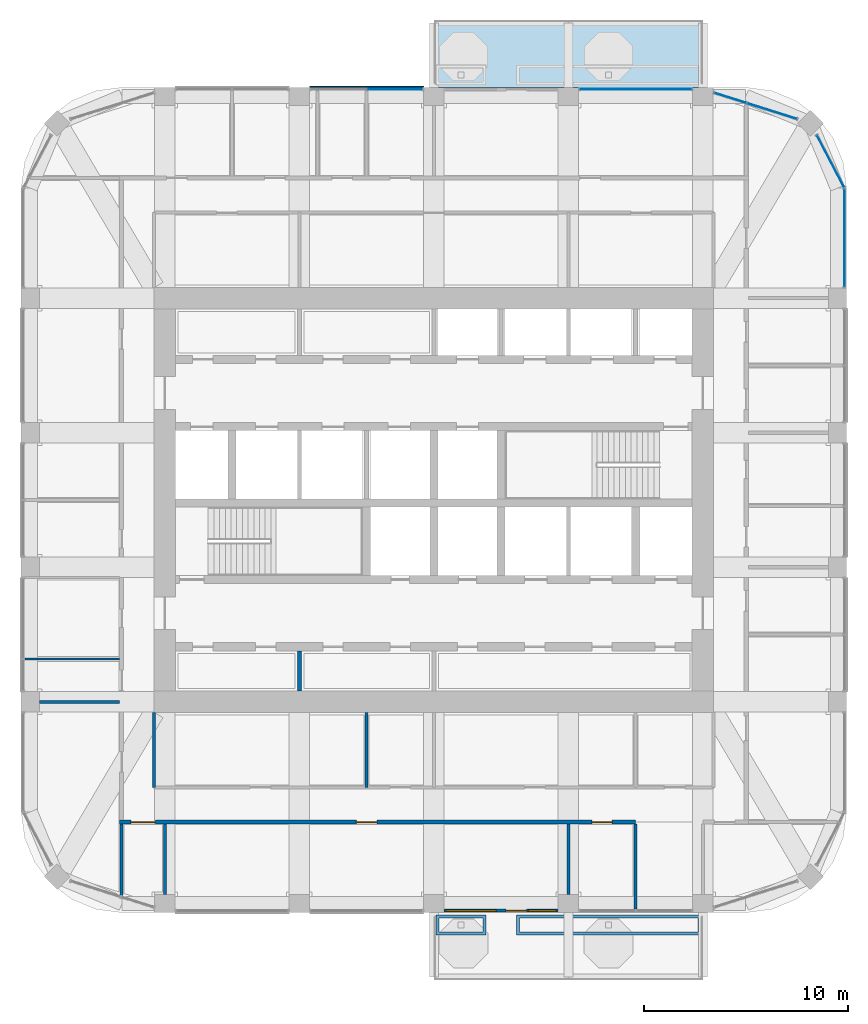
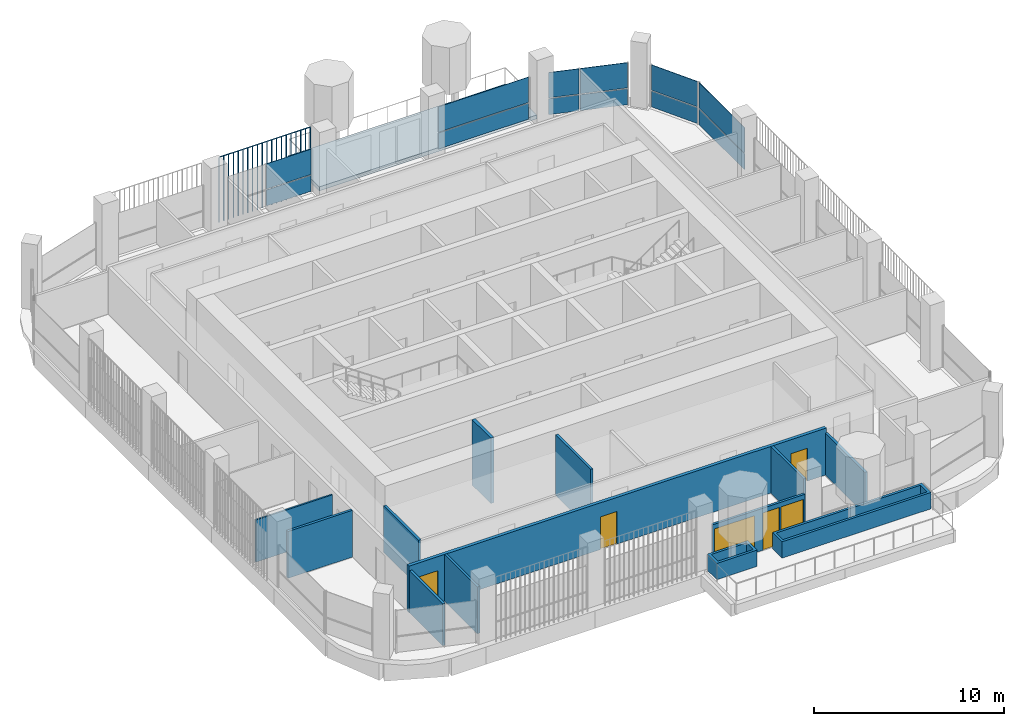
# One storey, part 13 of 21: 13 plates, 13 walls, 4 doors, 2 windows, 1 slab, 6 openings, 5 elements without a shape of their own.
"""IFC4 building model written with IfcOpenShell, lengths in metres."""

from ifc_helpers import new_model, si_unit, direction, frame, frame_2d, origin, origin_2d, place, context, subcontext, project, spatial, polyline, rectangle, outline, extrude, material, layer, layer_set, type_object, element, fill, aggregate, save


model = new_model("IFC4")

# Units and contexts
model_context = context("Model", 3, precision=1e-05, world=origin(), true_north=direction((0.0, 1.0)))
body_context = subcontext(model_context, "Body", "Model", "MODEL_VIEW")
ifc_project = project(units=[si_unit("LENGTHUNIT", "METRE"), si_unit("AREAUNIT", "SQUARE_METRE"), si_unit("VOLUMEUNIT", "CUBIC_METRE"), si_unit("PLANEANGLEUNIT", "RADIAN"), si_unit("MASSUNIT", "GRAM", prefix="KILO")], contexts=[model_context])

# Site, building, storey
site_placement = place(None, origin())
site = spatial("IfcSite", under=ifc_project, at=site_placement, CompositionType="ELEMENT")
building_placement = place(site_placement, origin())
building = spatial("IfcBuilding", under=site, at=building_placement, Name="Cobogo Forest Laboratory Tower", CompositionType="ELEMENT")
storey_placement = place(building_placement, frame((0.0, 0.0, 275.39990234375)))
storey = spatial("IfcBuildingStorey", under=building, at=storey_placement, Name="L63", CompositionType="ELEMENT", Elevation=275.39990234375)

# Slab
ifc_material_1 = material(Name="Concrete HA-40 (C40/50)", Category="concrete")
ifc_layer_1 = layer(ifc_material_1, 0.25)
ifc_layer_set_1 = layer_set([ifc_layer_1], Name="Balcony slab 250")
slab_type = type_object("IfcSlabType", Name="Balcony slab 250", PredefinedType="FLOOR", material=ifc_layer_set_1)
slab_placement = place(storey_placement, frame((0.0, 0.0, -0.25)))
element("IfcSlab", 1, at=slab_placement, inside=storey, type_object=slab_type, Name="Balcony BAL-N1 L63", PredefinedType="FLOOR", context=body_context, shape_type="SweptSolid", body=[
    extrude(outline(polyline([(26.39990234375, 43.35009765625), (39.60009765625, 43.35009765625), (39.60009765625, 46.64990234375), (26.39990234375, 46.64990234375), (26.39990234375, 43.35009765625)])), origin(), (0.0, 0.0, 1.0), 0.25),
])

# Curtain wall, plates
ifc_material_2 = material(Name="Aluminium curtain wall", Category="aluminium")
curtain_wall_type = type_object("IfcCurtainWallType", Name="CW-2 unitised curtain wall, solar control glazing, laboratory floors zones C and D", PredefinedType="USERDEFINED", material=ifc_material_2)
curtain_wall_1_placement = place(storey_placement, origin())
curtain_wall_1 = element("IfcCurtainWall", 2, at=curtain_wall_1_placement, inside=storey, type_object=curtain_wall_type, Name="Curtain wall 11 L63", ObjectType="UNITISED CURTAIN WALL", PredefinedType="USERDEFINED")
ifc_material_3 = material(Name="Solar control insulated glass", Category="glass")
ifc_layer_2 = layer(ifc_material_3, 0.031982421875)
ifc_layer_set_2 = layer_set([ifc_layer_2], Name="GP-2 solar control glass unit 32")
plate_type_1 = type_object("IfcPlateType", Name="GP-2 solar control glass unit 32", PredefinedType="CURTAIN_PANEL", material=ifc_layer_set_2)
plate_1_placement = place(storey_placement, frame((46.550048828125, 35.949951171875, 0.0), z_axis=(0.0, 0.0, 1.0), x_axis=(0.0, 1.0, 0.0)))
plate_1 = element("IfcPlate", 3, at=plate_1_placement, type_object=plate_type_1, Name="CW-2 panel 1.1", PredefinedType="CURTAIN_PANEL", context=body_context, shape_type="SweptSolid", body=[
    extrude(rectangle(XDim=4.780029296875, YDim=0.031982421875, at=origin_2d()), origin(), (0.0, 0.0, 1.0), 1.02001953125),
])
plate_2_placement = place(storey_placement, frame((46.550048828125, 35.949951171875, 1.080078125), z_axis=(0.0, 0.0, 1.0), x_axis=(0.0, 1.0, 0.0)))
plate_2 = element("IfcPlate", 4, at=plate_2_placement, type_object=plate_type_1, Name="CW-2 panel 1.2", PredefinedType="CURTAIN_PANEL", context=body_context, shape_type="SweptSolid", body=[
    extrude(rectangle(XDim=4.780029296875, YDim=0.031982421875, at=origin_2d()), origin(), (0.0, 0.0, 1.0), 1.6201171875),
])
aggregate(curtain_wall_1, [plate_1, plate_2])

curtain_wall_2_placement = place(storey_placement, origin())
curtain_wall_2 = element("IfcCurtainWall", 5, at=curtain_wall_2_placement, inside=storey, type_object=curtain_wall_type, Name="Curtain wall 12 L63", ObjectType="UNITISED CURTAIN WALL", PredefinedType="USERDEFINED")
plate_3_placement = place(storey_placement, frame((45.85693359375, 39.721923828125, 0.0), z_axis=(0.0, 0.0, 1.0), x_axis=(-0.464283778337, 0.885686498245, 0.0)))
plate_3 = element("IfcPlate", 6, at=plate_3_placement, type_object=plate_type_1, Name="CW-2 panel 1.1", PredefinedType="CURTAIN_PANEL", context=body_context, shape_type="SweptSolid", body=[
    extrude(rectangle(XDim=2.864990234375, YDim=0.031982421875, at=origin_2d()), origin(), (0.0, 0.0, 1.0), 1.02001953125),
])
plate_4_placement = place(storey_placement, frame((45.85693359375, 39.721923828125, 1.080078125), z_axis=(0.0, 0.0, 1.0), x_axis=(-0.464283778337, 0.885686498245, 0.0)))
plate_4 = element("IfcPlate", 7, at=plate_4_placement, type_object=plate_type_1, Name="CW-2 panel 1.2", PredefinedType="CURTAIN_PANEL", context=body_context, shape_type="SweptSolid", body=[
    extrude(rectangle(XDim=2.864990234375, YDim=0.031982421875, at=origin_2d()), origin(), (0.0, 0.0, 1.0), 1.6201171875),
])
aggregate(curtain_wall_2, [plate_3, plate_4])

curtain_wall_3_placement = place(storey_placement, origin())
curtain_wall_3 = element("IfcCurtainWall", 8, at=curtain_wall_3_placement, inside=storey, type_object=curtain_wall_type, Name="Curtain wall 13 L63", ObjectType="UNITISED CURTAIN WALL", PredefinedType="USERDEFINED")
plate_5_placement = place(storey_placement, frame((42.989501953125, 42.1796875, 0.0), z_axis=(0.0, 0.0, 1.0), x_axis=(-0.953581379409, 0.301135439371, 0.0)))
plate_5 = element("IfcPlate", 9, at=plate_5_placement, type_object=plate_type_1, Name="CW-2 panel 1.1", PredefinedType="CURTAIN_PANEL", context=body_context, shape_type="SweptSolid", body=[
    extrude(rectangle(XDim=2.541748046875, YDim=0.031982421875, at=origin_2d()), origin(), (0.0, 0.0, 1.0), 1.02001953125),
])
plate_6_placement = place(storey_placement, frame((42.989501953125, 42.1796875, 1.080078125), z_axis=(0.0, 0.0, 1.0), x_axis=(-0.953581379409, 0.301135439371, 0.0)))
plate_6 = element("IfcPlate", 10, at=plate_6_placement, type_object=plate_type_1, Name="CW-2 panel 1.2", PredefinedType="CURTAIN_PANEL", context=body_context, shape_type="SweptSolid", body=[
    extrude(rectangle(XDim=2.541748046875, YDim=0.031982421875, at=origin_2d()), origin(), (0.0, 0.0, 1.0), 1.6201171875),
])
plate_7_placement = place(storey_placement, frame((40.93896484375, 42.8271484375, 0.0), z_axis=(0.0, 0.0, 1.0), x_axis=(-0.953581379409, 0.301135439371, 0.0)))
plate_7 = element("IfcPlate", 11, at=plate_7_placement, type_object=plate_type_1, Name="CW-2 panel 2.1", PredefinedType="CURTAIN_PANEL", context=body_context, shape_type="SweptSolid", body=[
    extrude(rectangle(XDim=1.639404296875, YDim=0.031982421875, at=origin_2d()), origin(), (0.0, 0.0, 1.0), 1.02001953125),
])
plate_8_placement = place(storey_placement, frame((40.93896484375, 42.8271484375, 1.080078125), z_axis=(0.0, 0.0, 1.0), x_axis=(-0.953581379409, 0.301135439371, 0.0)))
plate_8 = element("IfcPlate", 12, at=plate_8_placement, type_object=plate_type_1, Name="CW-2 panel 2.2", PredefinedType="CURTAIN_PANEL", context=body_context, shape_type="SweptSolid", body=[
    extrude(rectangle(XDim=1.639404296875, YDim=0.031982421875, at=origin_2d()), origin(), (0.0, 0.0, 1.0), 1.6201171875),
])
aggregate(curtain_wall_3, [plate_5, plate_6, plate_7, plate_8])

curtain_wall_4_placement = place(storey_placement, origin())
curtain_wall_4 = element("IfcCurtainWall", 13, at=curtain_wall_4_placement, inside=storey, type_object=curtain_wall_type, Name="Curtain wall 14 L63", ObjectType="UNITISED CURTAIN WALL", PredefinedType="USERDEFINED")
plate_9_placement = place(storey_placement, frame((36.300048828125, 43.25, 0.0), z_axis=(0.0, 0.0, 1.0), x_axis=(-1.0, 0.0, 0.0)))
plate_9 = element("IfcPlate", 14, at=plate_9_placement, type_object=plate_type_1, Name="CW-2 panel 1.1", PredefinedType="CURTAIN_PANEL", context=body_context, shape_type="SweptSolid", body=[
    extrude(rectangle(XDim=5.47998046875, YDim=0.031982421875, at=origin_2d()), origin(), (0.0, 0.0, 1.0), 1.02001953125),
])
plate_10_placement = place(storey_placement, frame((36.300048828125, 43.25, 1.080078125), z_axis=(0.0, 0.0, 1.0), x_axis=(-1.0, 0.0, 0.0)))
plate_10 = element("IfcPlate", 15, at=plate_10_placement, type_object=plate_type_1, Name="CW-2 panel 1.2", PredefinedType="CURTAIN_PANEL", context=body_context, shape_type="SweptSolid", body=[
    extrude(rectangle(XDim=5.47998046875, YDim=0.031982421875, at=origin_2d()), origin(), (0.0, 0.0, 1.0), 1.6201171875),
])
aggregate(curtain_wall_4, [plate_9, plate_10])

curtain_wall_5_placement = place(storey_placement, origin())
curtain_wall_5 = element("IfcCurtainWall", 16, at=curtain_wall_5_placement, inside=storey, type_object=curtain_wall_type, Name="Curtain wall 16 L63", ObjectType="UNITISED CURTAIN WALL", PredefinedType="USERDEFINED")
plate_11_placement = place(storey_placement, frame((24.485107421875, 43.25, 0.0), z_axis=(0.0, 0.0, 1.0), x_axis=(-1.0, 0.0, 0.0)))
plate_11 = element("IfcPlate", 17, at=plate_11_placement, type_object=plate_type_1, Name="CW-2 panel 1.1", PredefinedType="CURTAIN_PANEL", context=body_context, shape_type="SweptSolid", body=[
    extrude(rectangle(XDim=2.7099609375, YDim=0.031982421875, at=origin_2d()), origin(), (0.0, 0.0, 1.0), 1.02001953125),
])
plate_12_placement = place(storey_placement, frame((24.485107421875, 43.25, 1.080078125), z_axis=(0.0, 0.0, 1.0), x_axis=(-1.0, 0.0, 0.0)))
plate_12 = element("IfcPlate", 18, at=plate_12_placement, type_object=plate_type_1, Name="CW-2 panel 1.2", PredefinedType="CURTAIN_PANEL", context=body_context, shape_type="SweptSolid", body=[
    extrude(rectangle(XDim=2.7099609375, YDim=0.031982421875, at=origin_2d()), origin(), (0.0, 0.0, 1.0), 1.6201171875),
])
aggregate(curtain_wall_5, [plate_11, plate_12])

# Plate
ifc_material_4 = material(Name="Terracotta", Category="masonry")
plate_type_2 = type_object("IfcPlateType", Name="TB1 terracotta baguette screen", PredefinedType="USERDEFINED", material=ifc_material_4)
plate_13_placement = place(storey_placement, frame((20.331298828125, 43.3779296875, -0.14990234375)))
element("IfcPlate", 19, at=plate_13_placement, inside=storey, type_object=plate_type_2, Name="Baguette screen N2 L63", ObjectType="BAGUETTE SCREEN", PredefinedType="USERDEFINED", context=body_context, shape_type="SweptSolid", body=[
    extrude(outline(polyline([(0.02880859375, 0.011962890625), (0.011962890625, 0.02880859375), (-0.011962890625, 0.02880859375), (-0.02880859375, 0.011962890625), (-0.02880859375, -0.011962890625), (-0.011962890625, -0.02880859375), (0.011962890625, -0.02880859375), (0.02880859375, -0.011962890625), (0.02880859375, 0.011962890625)])), frame((0.0, 0.0, 4.168701171875), z_axis=(1.0, 0.0, 0.0), x_axis=(0.0, 1.0, 0.0)), (0.0, 0.0, 1.0), 5.537353515625),
    extrude(outline(polyline([(0.02880859375, 0.011962890625), (0.011962890625, 0.02880859375), (-0.011962890625, 0.02880859375), (-0.02880859375, 0.011962890625), (-0.02880859375, -0.011962890625), (-0.011962890625, -0.02880859375), (0.011962890625, -0.02880859375), (0.02880859375, -0.011962890625), (0.02880859375, 0.011962890625)])), origin(), (0.0, 0.0, 1.0), 4.137451171875),
    extrude(outline(polyline([(0.02880859375, 0.011962890625), (0.011962890625, 0.02880859375), (-0.011962890625, 0.02880859375), (-0.02880859375, 0.011962890625), (-0.02880859375, -0.011962890625), (-0.011962890625, -0.02880859375), (0.011962890625, -0.02880859375), (0.02880859375, -0.011962890625), (0.02880859375, 0.011962890625)])), frame((0.29150390625, 0.0, 0.0)), (0.0, 0.0, 1.0), 4.137451171875),
    extrude(outline(polyline([(0.02880859375, 0.011962890625), (0.011962890625, 0.02880859375), (-0.011962890625, 0.02880859375), (-0.02880859375, 0.011962890625), (-0.02880859375, -0.011962890625), (-0.011962890625, -0.02880859375), (0.011962890625, -0.02880859375), (0.02880859375, -0.011962890625), (0.02880859375, 0.011962890625)])), frame((0.582763671875, 0.0, 0.0)), (0.0, 0.0, 1.0), 4.137451171875),
    extrude(outline(polyline([(0.02880859375, 0.011962890625), (0.011962890625, 0.02880859375), (-0.011962890625, 0.02880859375), (-0.02880859375, 0.011962890625), (-0.02880859375, -0.011962890625), (-0.011962890625, -0.02880859375), (0.011962890625, -0.02880859375), (0.02880859375, -0.011962890625), (0.02880859375, 0.011962890625)])), frame((0.874267578125, 0.0, 0.0)), (0.0, 0.0, 1.0), 4.137451171875),
    extrude(outline(polyline([(0.02880859375, 0.011962890625), (0.011962890625, 0.02880859375), (-0.011962890625, 0.02880859375), (-0.02880859375, 0.011962890625), (-0.02880859375, -0.011962890625), (-0.011962890625, -0.02880859375), (0.011962890625, -0.02880859375), (0.02880859375, -0.011962890625), (0.02880859375, 0.011962890625)])), frame((1.165771484375, 0.0, 0.0)), (0.0, 0.0, 1.0), 4.137451171875),
    extrude(outline(polyline([(0.02880859375, 0.011962890625), (0.011962890625, 0.02880859375), (-0.011962890625, 0.02880859375), (-0.02880859375, 0.011962890625), (-0.02880859375, -0.011962890625), (-0.011962890625, -0.02880859375), (0.011962890625, -0.02880859375), (0.02880859375, -0.011962890625), (0.02880859375, 0.011962890625)])), frame((1.457275390625, 0.0, 0.0)), (0.0, 0.0, 1.0), 4.137451171875),
    extrude(outline(polyline([(0.02880859375, 0.011962890625), (0.011962890625, 0.02880859375), (-0.011962890625, 0.02880859375), (-0.02880859375, 0.011962890625), (-0.02880859375, -0.011962890625), (-0.011962890625, -0.02880859375), (0.011962890625, -0.02880859375), (0.02880859375, -0.011962890625), (0.02880859375, 0.011962890625)])), frame((1.74853515625, 0.0, 0.0)), (0.0, 0.0, 1.0), 4.137451171875),
    extrude(outline(polyline([(0.02880859375, 0.011962890625), (0.011962890625, 0.02880859375), (-0.011962890625, 0.02880859375), (-0.02880859375, 0.011962890625), (-0.02880859375, -0.011962890625), (-0.011962890625, -0.02880859375), (0.011962890625, -0.02880859375), (0.02880859375, -0.011962890625), (0.02880859375, 0.011962890625)])), frame((2.0400390625, 0.0, 0.0)), (0.0, 0.0, 1.0), 4.137451171875),
    extrude(outline(polyline([(0.02880859375, 0.011962890625), (0.011962890625, 0.02880859375), (-0.011962890625, 0.02880859375), (-0.02880859375, 0.011962890625), (-0.02880859375, -0.011962890625), (-0.011962890625, -0.02880859375), (0.011962890625, -0.02880859375), (0.02880859375, -0.011962890625), (0.02880859375, 0.011962890625)])), frame((2.33154296875, 0.0, 0.0)), (0.0, 0.0, 1.0), 4.137451171875),
    extrude(outline(polyline([(0.02880859375, 0.011962890625), (0.011962890625, 0.02880859375), (-0.011962890625, 0.02880859375), (-0.02880859375, 0.011962890625), (-0.02880859375, -0.011962890625), (-0.011962890625, -0.02880859375), (0.011962890625, -0.02880859375), (0.02880859375, -0.011962890625), (0.02880859375, 0.011962890625)])), frame((2.623046875, 0.0, 0.0)), (0.0, 0.0, 1.0), 4.137451171875),
    extrude(outline(polyline([(0.02880859375, 0.011962890625), (0.011962890625, 0.02880859375), (-0.011962890625, 0.02880859375), (-0.02880859375, 0.011962890625), (-0.02880859375, -0.011962890625), (-0.011962890625, -0.02880859375), (0.011962890625, -0.02880859375), (0.02880859375, -0.011962890625), (0.02880859375, 0.011962890625)])), frame((2.914306640625, 0.0, 0.0)), (0.0, 0.0, 1.0), 4.137451171875),
    extrude(outline(polyline([(0.02880859375, 0.011962890625), (0.011962890625, 0.02880859375), (-0.011962890625, 0.02880859375), (-0.02880859375, 0.011962890625), (-0.02880859375, -0.011962890625), (-0.011962890625, -0.02880859375), (0.011962890625, -0.02880859375), (0.02880859375, -0.011962890625), (0.02880859375, 0.011962890625)])), frame((3.205810546875, 0.0, 0.0)), (0.0, 0.0, 1.0), 4.137451171875),
    extrude(outline(polyline([(0.02880859375, 0.011962890625), (0.011962890625, 0.02880859375), (-0.011962890625, 0.02880859375), (-0.02880859375, 0.011962890625), (-0.02880859375, -0.011962890625), (-0.011962890625, -0.02880859375), (0.011962890625, -0.02880859375), (0.02880859375, -0.011962890625), (0.02880859375, 0.011962890625)])), frame((3.497314453125, 0.0, 0.0)), (0.0, 0.0, 1.0), 4.137451171875),
    extrude(outline(polyline([(0.02880859375, 0.011962890625), (0.011962890625, 0.02880859375), (-0.011962890625, 0.02880859375), (-0.02880859375, 0.011962890625), (-0.02880859375, -0.011962890625), (-0.011962890625, -0.02880859375), (0.011962890625, -0.02880859375), (0.02880859375, -0.011962890625), (0.02880859375, 0.011962890625)])), frame((3.788818359375, 0.0, 0.0)), (0.0, 0.0, 1.0), 4.137451171875),
    extrude(outline(polyline([(0.02880859375, 0.011962890625), (0.011962890625, 0.02880859375), (-0.011962890625, 0.02880859375), (-0.02880859375, 0.011962890625), (-0.02880859375, -0.011962890625), (-0.011962890625, -0.02880859375), (0.011962890625, -0.02880859375), (0.02880859375, -0.011962890625), (0.02880859375, 0.011962890625)])), frame((4.080078125, 0.0, 0.0)), (0.0, 0.0, 1.0), 4.137451171875),
    extrude(outline(polyline([(0.02880859375, 0.011962890625), (0.011962890625, 0.02880859375), (-0.011962890625, 0.02880859375), (-0.02880859375, 0.011962890625), (-0.02880859375, -0.011962890625), (-0.011962890625, -0.02880859375), (0.011962890625, -0.02880859375), (0.02880859375, -0.011962890625), (0.02880859375, 0.011962890625)])), frame((4.37158203125, 0.0, 0.0)), (0.0, 0.0, 1.0), 4.137451171875),
    extrude(outline(polyline([(0.02880859375, 0.011962890625), (0.011962890625, 0.02880859375), (-0.011962890625, 0.02880859375), (-0.02880859375, 0.011962890625), (-0.02880859375, -0.011962890625), (-0.011962890625, -0.02880859375), (0.011962890625, -0.02880859375), (0.02880859375, -0.011962890625), (0.02880859375, 0.011962890625)])), frame((4.6630859375, 0.0, 0.0)), (0.0, 0.0, 1.0), 4.137451171875),
    extrude(outline(polyline([(0.02880859375, 0.011962890625), (0.011962890625, 0.02880859375), (-0.011962890625, 0.02880859375), (-0.02880859375, 0.011962890625), (-0.02880859375, -0.011962890625), (-0.011962890625, -0.02880859375), (0.011962890625, -0.02880859375), (0.02880859375, -0.011962890625), (0.02880859375, 0.011962890625)])), frame((4.95458984375, 0.0, 0.0)), (0.0, 0.0, 1.0), 4.137451171875),
    extrude(outline(polyline([(0.02880859375, 0.011962890625), (0.011962890625, 0.02880859375), (-0.011962890625, 0.02880859375), (-0.02880859375, 0.011962890625), (-0.02880859375, -0.011962890625), (-0.011962890625, -0.02880859375), (0.011962890625, -0.02880859375), (0.02880859375, -0.011962890625), (0.02880859375, 0.011962890625)])), frame((5.245849609375, 0.0, 0.0)), (0.0, 0.0, 1.0), 4.137451171875),
    extrude(outline(polyline([(0.02880859375, 0.011962890625), (0.011962890625, 0.02880859375), (-0.011962890625, 0.02880859375), (-0.02880859375, 0.011962890625), (-0.02880859375, -0.011962890625), (-0.011962890625, -0.02880859375), (0.011962890625, -0.02880859375), (0.02880859375, -0.011962890625), (0.02880859375, 0.011962890625)])), frame((5.537353515625, 0.0, 0.0)), (0.0, 0.0, 1.0), 4.137451171875),
])

# Wall, openings, door, windows
ifc_material_5 = material(Name="Aluminium framed glazed screen", Category="aluminium")
ifc_layer_3 = layer(ifc_material_5, 0.14990234375)
ifc_layer_set_3 = layer_set([ifc_layer_3], Name="GS1 glazed door screen 150")
wall_type_1 = type_object("IfcWallType", Name="GS1 glazed door screen 150", PredefinedType="SOLIDWALL", material=ifc_layer_set_3)
wall_1_placement = place(storey_placement, frame((26.89990234375, 2.949951171875, 0.0), z_axis=(0.0, 0.0, 1.0), x_axis=(1.0, 0.0, 0.0)))
wall_1 = element("IfcWall", 20, at=wall_1_placement, inside=storey, type_object=wall_type_1, Name="Door screen BAL-S1 L63", PredefinedType="SOLIDWALL", context=body_context, shape_type="SweptSolid", body=[
    extrude(rectangle(XDim=5.60009765625, YDim=0.14990234375, at=frame_2d((2.800048828125, 0.0))), origin(), (0.0, 0.0, 1.0), 2.7001953125),
])
opening_1_placement = place(wall_1_placement, frame((3.050048828125, 0.0, 0.0)))
opening_1 = element("IfcOpeningElement", 21, at=opening_1_placement, cuts=wall_1, Name="Opening L63-D01", PredefinedType="OPENING", context=body_context, shape_type="SweptSolid", body=[
    extrude(rectangle(XDim=1.0, YDim=2.39990234375, at=frame_2d((0.5, 1.199951171875))), frame((0.0, 0.0849609375, 0.0), z_axis=(0.0, -1.0, 0.0), x_axis=(1.0, 0.0, 0.0)), (0.0, 0.0, 1.0), 0.169921875),
])
opening_2_placement = place(wall_1_placement, frame((0.10009765625, 0.0, 0.10009765625)))
opening_2 = element("IfcOpeningElement", 22, at=opening_2_placement, cuts=wall_1, Name="Opening L63-W01", PredefinedType="OPENING", context=body_context, shape_type="SweptSolid", body=[
    extrude(rectangle(XDim=2.449951171875, YDim=2.300048828125, at=frame_2d((1.22509765625, 1.14990234375))), frame((0.0, 0.0849609375, 0.0), z_axis=(0.0, -1.0, 0.0), x_axis=(1.0, 0.0, 0.0)), (0.0, 0.0, 1.0), 0.169921875),
])
opening_3_placement = place(wall_1_placement, frame((4.14990234375, 0.0, 0.10009765625)))
opening_3 = element("IfcOpeningElement", 23, at=opening_3_placement, cuts=wall_1, Name="Opening L63-W02", PredefinedType="OPENING", context=body_context, shape_type="SweptSolid", body=[
    extrude(rectangle(XDim=1.35009765625, YDim=2.300048828125, at=frame_2d((0.675048828125, 1.14990234375))), frame((0.0, 0.0849609375, 0.0), z_axis=(0.0, -1.0, 0.0), x_axis=(1.0, 0.0, 0.0)), (0.0, 0.0, 1.0), 0.169921875),
])
ifc_material_6 = material(Name="Aluminium glazed door", Category="aluminium")
door_type_1 = type_object("IfcDoorType", Name="DB1 balcony door 1000 glazed", OperationType="SINGLE_SWING_LEFT", PredefinedType="DOOR", material=ifc_material_6)
door_1_placement = place(opening_1_placement, origin())
door_1 = element("IfcDoor", 24, at=door_1_placement, inside=storey, type_object=door_type_1, Name="Door L63-BAL-S1", OperationType="SINGLE_SWING_RIGHT", OverallHeight=2.39990234375, OverallWidth=1.0, PredefinedType="DOOR", context=body_context, shape_type="SweptSolid", body=[
    extrude(rectangle(XDim=1.0, YDim=2.39990234375, at=frame_2d((0.5, 1.199951171875))), frame((0.0, 0.02490234375, 0.0), z_axis=(0.0, -1.0, 0.0), x_axis=(1.0, 0.0, 0.0)), (0.0, 0.0, 1.0), 0.050048828125),
])
fill(opening_1, door_1)
ifc_material_7 = material(Name="Aluminium framed glazing", Category="aluminium")
window_type_1 = type_object("IfcWindowType", Name="WG23 fixed glazed light 2450x2300", PartitioningType="SINGLE_PANEL", PredefinedType="WINDOW", material=ifc_material_7)
window_1_placement = place(opening_2_placement, origin())
window_1 = element("IfcWindow", 25, at=window_1_placement, inside=storey, type_object=window_type_1, Name="Window L63-BAL-S1-1", OverallHeight=2.300048828125, OverallWidth=2.449951171875, PartitioningType="SINGLE_PANEL", PredefinedType="WINDOW", context=body_context, shape_type="SweptSolid", body=[
    extrude(rectangle(XDim=2.449951171875, YDim=2.300048828125, at=frame_2d((1.22509765625, 1.14990234375))), frame((0.0, 0.030029296875, 0.0), z_axis=(0.0, -1.0, 0.0), x_axis=(1.0, 0.0, 0.0)), (0.0, 0.0, 1.0), 0.06005859375),
])
fill(opening_2, window_1)
window_type_2 = type_object("IfcWindowType", Name="WG24 fixed glazed light 1350x2300", PartitioningType="SINGLE_PANEL", PredefinedType="WINDOW", material=ifc_material_7)
window_2_placement = place(opening_3_placement, origin())
window_2 = element("IfcWindow", 26, at=window_2_placement, inside=storey, type_object=window_type_2, Name="Window L63-BAL-S1-2", OverallHeight=2.300048828125, OverallWidth=1.35009765625, PartitioningType="SINGLE_PANEL", PredefinedType="WINDOW", context=body_context, shape_type="SweptSolid", body=[
    extrude(rectangle(XDim=1.35009765625, YDim=2.300048828125, at=frame_2d((0.675048828125, 1.14990234375))), frame((0.0, 0.030029296875, 0.0), z_axis=(0.0, -1.0, 0.0), x_axis=(1.0, 0.0, 0.0)), (0.0, 0.0, 1.0), 0.06005859375),
])
fill(opening_3, window_2)

# Walls
ifc_material_8 = material(Name="Gypsum board on steel studs", Category="steel")
ifc_layer_4 = layer(ifc_material_8, 0.14990234375)
ifc_layer_set_4 = layer_set([ifc_layer_4], Name="PT1 laboratory partition 150")
wall_type_2 = type_object("IfcWallType", Name="PT1 laboratory partition 150", PredefinedType="PARTITIONING", material=ifc_layer_set_4)
wall_2_placement = place(storey_placement, frame((12.675048828125, 12.675048828125, 0.0), z_axis=(0.0, 0.0, 1.0), x_axis=(0.0, -1.0, 0.0)))
element("IfcWall", 27, at=wall_2_placement, inside=storey, type_object=wall_type_2, Name="Partition CSTRIP-SW L63", PredefinedType="PARTITIONING", context=body_context, shape_type="SweptSolid", body=[
    extrude(rectangle(XDim=3.675048828125, YDim=0.14990234375, at=frame_2d((1.83740234375, 0.0))), origin(), (0.0, 0.0, 1.0), 3.0),
])
wall_3_placement = place(storey_placement, frame((23.10009765625, 12.675048828125, 0.0), z_axis=(0.0, 0.0, 1.0), x_axis=(0.0, -1.0, 0.0)))
element("IfcWall", 28, at=wall_3_placement, inside=storey, type_object=wall_type_2, Name="Partition CSTRIP-S23.1 L63", PredefinedType="PARTITIONING", context=body_context, shape_type="SweptSolid", body=[
    extrude(rectangle(XDim=3.675048828125, YDim=0.14990234375, at=frame_2d((1.83740234375, 0.0))), origin(), (0.0, 0.0, 1.0), 3.900146484375),
])
wall_4_placement = place(storey_placement, frame((11.074951171875, 3.705078125, 0.0), z_axis=(0.0, 0.0, 1.0), x_axis=(0.0, 1.0, 0.0)))
element("IfcWall", 29, at=wall_4_placement, inside=storey, type_object=wall_type_2, Name="Partition PW-SW L63", PredefinedType="PARTITIONING", context=body_context, shape_type="SweptSolid", body=[
    extrude(rectangle(XDim=3.494873046875, YDim=0.14990234375, at=frame_2d((1.74755859375, 0.0))), origin(), (0.0, 0.0, 1.0), 2.7001953125),
])
for number, where, z_axis, x_axis, name in (
    (30, (13.199951171875, 3.75, 0.0), (0.0, 0.0, 1.0), (0.0, 1.0, 0.0), "Partition CUT-S13.2-1 L63"),
    (31, (33.0, 3.75, 0.0), (0.0, 0.0, 1.0), (0.0, 1.0, 0.0), "Partition CUT-S33-1 L63"),
):
    element("IfcWall", number, at=place(storey_placement, frame(where, z_axis=z_axis, x_axis=x_axis)), inside=storey, type_object=wall_type_2, Name=name, PredefinedType="PARTITIONING", context=body_context, shape_type="SweptSolid", body=[
        extrude(rectangle(XDim=3.449951171875, YDim=0.14990234375, at=frame_2d((1.72509765625, 0.0))), origin(), (0.0, 0.0, 1.0), 3.0),
    ])
wall_5_placement = place(storey_placement, frame((36.300048828125, 3.030029296875, 0.0), z_axis=(0.0, 0.0, 1.0), x_axis=(0.0, 1.0, 0.0)))
element("IfcWall", 32, at=wall_5_placement, inside=storey, type_object=wall_type_2, Name="Partition CUT-S36.3-1 L63", PredefinedType="PARTITIONING", context=body_context, shape_type="SweptSolid", body=[
    extrude(rectangle(XDim=4.169921875, YDim=0.14990234375, at=frame_2d((2.0849609375, 0.0))), origin(), (0.0, 0.0, 1.0), 2.7001953125),
])
wall_6_placement = place(storey_placement, frame((7.050048828125, 13.199951171875, 0.0), z_axis=(0.0, 0.0, 1.0), x_axis=(1.0, 0.0, 0.0)))
element("IfcWall", 33, at=wall_6_placement, inside=storey, type_object=wall_type_2, Name="Partition CUT-W13.2-1 L63", PredefinedType="PARTITIONING", context=body_context, shape_type="SweptSolid", body=[
    extrude(rectangle(XDim=3.925048828125, YDim=0.14990234375, at=frame_2d((1.96240234375, 0.0))), origin(), (0.0, 0.0, 1.0), 3.0),
])

# Wall, openings, doors
ifc_layer_5 = layer(ifc_material_8, 0.199951171875)
ifc_layer_set_5 = layer_set([ifc_layer_5], Name="PT2 fire-rated corridor partition 200")
wall_type_3 = type_object("IfcWallType", Name="PT2 fire-rated corridor partition 200", PredefinedType="PARTITIONING", material=ifc_layer_set_5)
wall_7_placement = place(storey_placement, frame((10.97509765625, 7.300048828125, 0.0), z_axis=(0.0, 0.0, 1.0), x_axis=(1.0, 0.0, 0.0)))
wall_7 = element("IfcWall", 34, at=wall_7_placement, inside=storey, type_object=wall_type_3, Name="Partition CORR-S-1 L63", PredefinedType="PARTITIONING", context=body_context, shape_type="SweptSolid", body=[
    extrude(rectangle(XDim=25.324951171875, YDim=0.199951171875, at=frame_2d((12.66259765625, 0.0))), origin(), (0.0, 0.0, 1.0), 3.0),
])
opening_4_placement = place(wall_7_placement, frame((0.5625, 0.0, 0.0)))
opening_4 = element("IfcOpeningElement", 35, at=opening_4_placement, cuts=wall_7, Name="Opening L63-D02", PredefinedType="OPENING", context=body_context, shape_type="SweptSolid", body=[
    extrude(rectangle(XDim=1.199951171875, YDim=2.10009765625, at=frame_2d((0.60009765625, 1.050048828125))), frame((0.0, 0.10986328125, 0.0), z_axis=(0.0, -1.0, 0.0), x_axis=(1.0, 0.0, 0.0)), (0.0, 0.0, 1.0), 0.219970703125),
])
opening_5_placement = place(wall_7_placement, frame((11.625, 0.0, 0.0)))
opening_5 = element("IfcOpeningElement", 36, at=opening_5_placement, cuts=wall_7, Name="Opening L63-D03", PredefinedType="OPENING", context=body_context, shape_type="SweptSolid", body=[
    extrude(rectangle(XDim=1.0, YDim=2.10009765625, at=frame_2d((0.5, 1.050048828125))), frame((0.0, 0.10986328125, 0.0), z_axis=(0.0, -1.0, 0.0), x_axis=(1.0, 0.0, 0.0)), (0.0, 0.0, 1.0), 0.219970703125),
])
opening_6_placement = place(wall_7_placement, frame((23.175048828125, 0.0, 0.0)))
opening_6 = element("IfcOpeningElement", 37, at=opening_6_placement, cuts=wall_7, Name="Opening L63-D04", PredefinedType="OPENING", context=body_context, shape_type="SweptSolid", body=[
    extrude(rectangle(XDim=1.0, YDim=2.10009765625, at=frame_2d((0.5, 1.050048828125))), frame((0.0, 0.10986328125, 0.0), z_axis=(0.0, -1.0, 0.0), x_axis=(1.0, 0.0, 0.0)), (0.0, 0.0, 1.0), 0.219970703125),
])
ifc_material_9 = material(Name="Timber door", Category="wood")
door_type_2 = type_object("IfcDoorType", Name="D2 laboratory door 1200 unequal pair", OperationType="DOUBLE_DOOR_SINGLE_SWING", PredefinedType="DOOR", material=ifc_material_9)
door_2_placement = place(opening_4_placement, origin())
door_2 = element("IfcDoor", 38, at=door_2_placement, inside=storey, type_object=door_type_2, Name="Door L63-S1", OperationType="DOUBLE_DOOR_SINGLE_SWING", OverallHeight=2.10009765625, OverallWidth=1.199951171875, PredefinedType="DOOR", context=body_context, shape_type="SweptSolid", body=[
    extrude(rectangle(XDim=1.199951171875, YDim=2.10009765625, at=frame_2d((0.60009765625, 1.050048828125))), frame((0.0, 0.02490234375, 0.0), z_axis=(0.0, -1.0, 0.0), x_axis=(1.0, 0.0, 0.0)), (0.0, 0.0, 1.0), 0.050048828125),
])
fill(opening_4, door_2)
ifc_material_10 = material(Name="Timber fire door", Category="wood")
door_type_3 = type_object("IfcDoorType", Name="FD2 fire door 1000 EI2 30", OperationType="SINGLE_SWING_LEFT", PredefinedType="DOOR", material=ifc_material_10)
door_3_placement = place(opening_5_placement, origin())
door_3 = element("IfcDoor", 39, at=door_3_placement, inside=storey, type_object=door_type_3, Name="Door L63-S2", OperationType="SINGLE_SWING_LEFT", OverallHeight=2.10009765625, OverallWidth=1.0, PredefinedType="DOOR", context=body_context, shape_type="SweptSolid", body=[
    extrude(rectangle(XDim=1.0, YDim=2.10009765625, at=frame_2d((0.5, 1.050048828125))), frame((0.0, 0.02490234375, 0.0), z_axis=(0.0, -1.0, 0.0), x_axis=(1.0, 0.0, 0.0)), (0.0, 0.0, 1.0), 0.050048828125),
])
fill(opening_5, door_3)
door_4_placement = place(opening_6_placement, origin())
door_4 = element("IfcDoor", 40, at=door_4_placement, inside=storey, type_object=door_type_3, Name="Door L63-S3", OperationType="SINGLE_SWING_RIGHT", OverallHeight=2.10009765625, OverallWidth=1.0, PredefinedType="DOOR", context=body_context, shape_type="SweptSolid", body=[
    extrude(rectangle(XDim=1.0, YDim=2.10009765625, at=frame_2d((0.5, 1.050048828125))), frame((0.0, 0.02490234375, 0.0), z_axis=(0.0, -1.0, 0.0), x_axis=(1.0, 0.0, 0.0)), (0.0, 0.0, 1.0), 0.050048828125),
])
fill(opening_6, door_4)

# Walls
ifc_layer_6 = layer(ifc_material_8, 0.10009765625)
ifc_layer_set_6 = layer_set([ifc_layer_6], Name="PT3 toilet partition 100")
wall_type_4 = type_object("IfcWallType", Name="PT3 toilet partition 100", PredefinedType="PARTITIONING", material=ifc_layer_set_6)
wall_8_placement = place(storey_placement, frame((6.330078125, 15.300048828125, 0.0), z_axis=(0.0, 0.0, 1.0), x_axis=(1.0, 0.0, 0.0)))
element("IfcWall", 41, at=wall_8_placement, inside=storey, type_object=wall_type_4, Name="Partition SVC-W1-1 L63", PredefinedType="PARTITIONING", context=body_context, shape_type="SweptSolid", body=[
    extrude(rectangle(XDim=4.64501953125, YDim=0.10009765625, at=frame_2d((2.322509765625, 0.0))), origin(), (0.0, 0.0, 1.0), 2.7001953125),
])
ifc_layer_7 = layer(ifc_material_1, 0.14990234375)
ifc_layer_set_7 = layer_set([ifc_layer_7], Name="Planter box 1000x1050")
wall_type_5 = type_object("IfcWallType", Name="Planter box 1000x1050", PredefinedType="USERDEFINED", material=ifc_layer_set_7)
wall_9_placement = place(storey_placement, origin())
element("IfcWall", 42, at=wall_9_placement, inside=storey, type_object=wall_type_5, Name="Planter BAL-S1-1 L63", ObjectType="PLANTER", PredefinedType="USERDEFINED", context=body_context, shape_type="SweptSolid", body=[
    extrude(outline(polyline([(26.5, 1.75), (28.949951171875, 1.75), (28.949951171875, 2.75), (26.5, 2.75), (26.5, 1.75)]), holes=[polyline([(26.64990234375, 1.89990234375), (28.800048828125, 1.89990234375), (28.800048828125, 2.60009765625), (26.64990234375, 2.60009765625), (26.64990234375, 1.89990234375)])]), origin(), (0.0, 0.0, 1.0), 1.050048828125),
])
wall_10_placement = place(storey_placement, origin())
element("IfcWall", 43, at=wall_10_placement, inside=storey, type_object=wall_type_5, Name="Planter BAL-S1-2 L63", ObjectType="PLANTER", PredefinedType="USERDEFINED", context=body_context, shape_type="SweptSolid", body=[
    extrude(outline(polyline([(30.449951171875, 1.75), (39.5, 1.75), (39.5, 2.75), (30.449951171875, 2.75), (30.449951171875, 1.75)]), holes=[polyline([(30.60009765625, 1.89990234375), (39.35009765625, 1.89990234375), (39.35009765625, 2.60009765625), (30.60009765625, 2.60009765625), (30.60009765625, 1.89990234375)])]), origin(), (0.0, 0.0, 1.0), 1.050048828125),
])
ifc_material_11 = material(Name="Concrete block", Category="concrete")
ifc_layer_8 = layer(ifc_material_11, 0.199951171875)
ifc_layer_set_8 = layer_set([ifc_layer_8], Name="SW200 lift shaft separator 200")
wall_type_6 = type_object("IfcWallType", Name="SW200 lift shaft separator 200", PredefinedType="PARTITIONING", material=ifc_layer_set_8)
wall_11_placement = place(storey_placement, frame((19.800048828125, 13.72509765625, 0.0), z_axis=(0.0, 0.0, 1.0), x_axis=(0.0, 1.0, 0.0)))
element("IfcWall", 44, at=wall_11_placement, inside=storey, type_object=wall_type_6, Name="Core wall SEP-S2 L63", PredefinedType="PARTITIONING", context=body_context, shape_type="SweptSolid", body=[
    extrude(rectangle(XDim=1.974853515625, YDim=0.199951171875, at=frame_2d((0.9873046875, 0.0))), origin(), (0.0, 0.0, 1.0), 4.2001953125),
])

save(model, "model.ifc")
